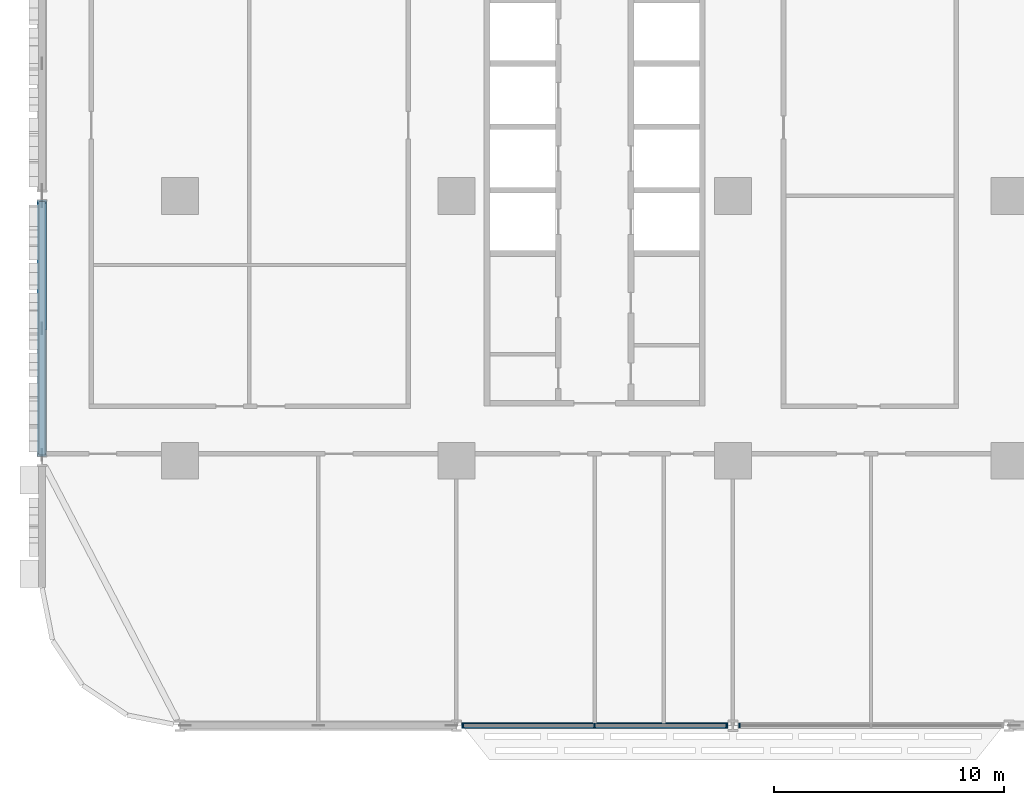
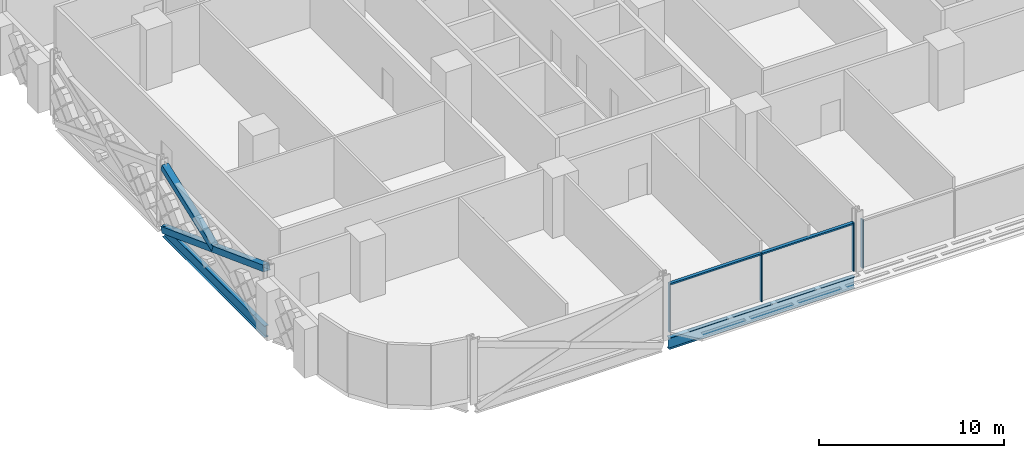
# One storey, part 2 of 29: 8 members, 2 beams, 2 elements without a shape of their own.
"""IFC4 building model written with IfcOpenShell, lengths in metres."""

from ifc_helpers import new_model, si_unit, direction, frame, origin, origin_2d, place, context, subcontext, project, spatial, rectangle, hollow_rectangle, i_section, extrude, material, material_profile, profile_set, type_object, element, aggregate, save


model = new_model("IFC4")

# Units and contexts
model_context = context("Model", 3, precision=1e-05, world=origin(), true_north=direction((0.0, 1.0)))
body_context = subcontext(model_context, "Body", "Model", "MODEL_VIEW")
ifc_project = project(units=[si_unit("LENGTHUNIT", "METRE"), si_unit("AREAUNIT", "SQUARE_METRE"), si_unit("VOLUMEUNIT", "CUBIC_METRE"), si_unit("PLANEANGLEUNIT", "RADIAN"), si_unit("MASSUNIT", "GRAM", prefix="KILO")], contexts=[model_context])

# Site, building, storey
site_placement = place(None, origin())
site = spatial("IfcSite", under=ifc_project, at=site_placement, CompositionType="ELEMENT")
building_placement = place(site_placement, origin())
building = spatial("IfcBuilding", under=site, at=building_placement, Name="Mahtab Terrace Research Tower", CompositionType="ELEMENT")
storey_placement = place(building_placement, frame((0.0, 0.0, 20.10009765625)))
storey = spatial("IfcBuildingStorey", under=building, at=storey_placement, Name="L04", CompositionType="ELEMENT", Elevation=20.10009765625)

# Members
ifc_material_1 = material(Name="Steel ASTM A500 Gr C", Category="steel")
ifc_material_profile_1 = material_profile(ifc_material_1, hollow_rectangle(XDim=0.406494140625, YDim=0.406494140625, WallThickness=0.01904296875, at=origin_2d()), Name="HSS16X16X3/4")
ifc_profile_set_1 = profile_set([ifc_material_profile_1], Name="Steel ASTM A500 Gr C")
member_type_1 = type_object("IfcMemberType", Name="HSS 16x16x3/4 brace XB161634", PredefinedType="BRACE", material=ifc_profile_set_1)
member_1_placement = place(storey_placement, frame((-48.0, -0.248779296875, -0.62548828125), z_axis=(0.0, -0.936668691391, 0.350216736563), x_axis=(1.0, 0.0, 0.0)))
element("IfcMember", 1, at=member_1_placement, inside=storey, type_object=member_type_1, Name="Exoskeleton brace L04 10 a", PredefinedType="BRACE", context=body_context, shape_type="SweptSolid", body=[
    extrude(hollow_rectangle(XDim=0.406494140625, YDim=0.406494140625, WallThickness=0.01904296875, at=origin_2d()), origin(), (0.0, 0.0, 1.0), 11.746337890625),
])
member_2_placement = place(storey_placement, frame((-48.0, -5.75, 1.431396484375), z_axis=(0.0, 0.936668691391, 0.350216736563), x_axis=(-1.0, 0.0, 0.0)))
element("IfcMember", 2, at=member_2_placement, inside=storey, type_object=member_type_1, Name="Exoskeleton brace L04 10 b2", PredefinedType="BRACE", context=body_context, shape_type="SweptSolid", body=[
    extrude(hollow_rectangle(XDim=0.406494140625, YDim=0.406494140625, WallThickness=0.01904296875, at=origin_2d()), origin(), (0.0, 0.0, 1.0), 5.873291015625),
])

# Curtain wall, members
ifc_material_2 = material(Name="Laboratory ribbon curtain wall")
curtain_wall_type = type_object("IfcCurtainWallType", Name="Laboratory ribbon curtain wall", PredefinedType="NOTDEFINED", material=ifc_material_2)
curtain_wall_1_placement = place(storey_placement, origin())
curtain_wall_1 = element("IfcCurtainWall", 3, at=curtain_wall_1_placement, inside=storey, type_object=curtain_wall_type, Name="EN.L04.13.23", PredefinedType="NOTDEFINED")
ifc_material_3 = material(Name="Natural anodised aluminium", Category="aluminium")
ifc_material_profile_2 = material_profile(ifc_material_3, rectangle(XDim=0.199951171875, YDim=0.06494140625, at=origin_2d()), Name="MULLION 65x200")
ifc_profile_set_2 = profile_set([ifc_material_profile_2], Name="Natural anodised aluminium")
member_type_2 = type_object("IfcMemberType", Name="Laboratory ribbon curtain wall mullion", PredefinedType="MULLION", material=ifc_profile_set_2)
member_3_placement = place(storey_placement, frame((-29.718505859375, -23.0, 0.0), z_axis=(0.0, 0.0, 1.0), x_axis=(0.0, 1.0, 0.0)))
member_3 = element("IfcMember", 4, at=member_3_placement, type_object=member_type_2, Name="CWL-1 mullion 1", PredefinedType="MULLION", context=body_context, shape_type="SweptSolid", body=[
    extrude(rectangle(XDim=0.199951171875, YDim=0.06494140625, at=origin_2d()), origin(), (0.0, 0.0, 1.0), 3.202880859375),
])
member_4_placement = place(storey_placement, frame((-24.0, -23.0, 0.0), z_axis=(0.0, 0.0, 1.0), x_axis=(0.0, 1.0, 0.0)))
member_4 = element("IfcMember", 5, at=member_4_placement, type_object=member_type_2, Name="CWL-1 mullion 2", PredefinedType="MULLION", context=body_context, shape_type="SweptSolid", body=[
    extrude(rectangle(XDim=0.199951171875, YDim=0.06494140625, at=origin_2d()), origin(), (0.0, 0.0, 1.0), 3.202880859375),
])
member_5_placement = place(storey_placement, frame((-18.281494140625, -23.0, 0.0), z_axis=(0.0, 0.0, 1.0), x_axis=(0.0, 1.0, 0.0)))
member_5 = element("IfcMember", 6, at=member_5_placement, type_object=member_type_2, Name="CWL-1 mullion 3", PredefinedType="MULLION", context=body_context, shape_type="SweptSolid", body=[
    extrude(rectangle(XDim=0.199951171875, YDim=0.06494140625, at=origin_2d()), origin(), (0.0, 0.0, 1.0), 3.202880859375),
])

# Curtain wall, member
curtain_wall_2_placement = place(storey_placement, origin())
curtain_wall_2 = element("IfcCurtainWall", 7, at=curtain_wall_2_placement, inside=storey, type_object=curtain_wall_type, Name="EN.L04.13.24", PredefinedType="NOTDEFINED")
member_6_placement = place(storey_placement, frame((-17.718505859375, -23.0, 0.0), z_axis=(0.0, 0.0, 1.0), x_axis=(0.0, 1.0, 0.0)))
member_6 = element("IfcMember", 8, at=member_6_placement, type_object=member_type_2, Name="CWL-1 mullion 1", PredefinedType="MULLION", context=body_context, shape_type="SweptSolid", body=[
    extrude(rectangle(XDim=0.199951171875, YDim=0.06494140625, at=origin_2d()), origin(), (0.0, 0.0, 1.0), 3.202880859375),
])
aggregate(curtain_wall_2, [member_6])

# Member
ifc_material_profile_3 = material_profile(ifc_material_3, rectangle(XDim=0.199951171875, YDim=0.10009765625, at=origin_2d()), Name="TRANSOM 100x200")
ifc_profile_set_3 = profile_set([ifc_material_profile_3], Name="Natural anodised aluminium")
member_type_3 = type_object("IfcMemberType", Name="Laboratory ribbon curtain wall transom", PredefinedType="USERDEFINED", material=ifc_profile_set_3)
member_7_placement = place(storey_placement, frame((-29.68603515625, -23.0, 3.153076171875), z_axis=(1.0, 0.0, 0.0), x_axis=(0.0, 1.0, 0.0)))
member_7 = element("IfcMember", 9, at=member_7_placement, type_object=member_type_3, Name="CWL-1 transom 1", ObjectType="TRANSOM", PredefinedType="USERDEFINED", context=body_context, shape_type="SweptSolid", body=[
    extrude(rectangle(XDim=0.199951171875, YDim=0.10009765625, at=origin_2d()), origin(), (0.0, 0.0, 1.0), 5.653564453125),
])

member_8_placement = place(storey_placement, frame((-23.967529296875, -23.0, 3.153076171875), z_axis=(1.0, 0.0, 0.0), x_axis=(0.0, 1.0, 0.0)))
member_8 = element("IfcMember", 10, at=member_8_placement, type_object=member_type_3, Name="CWL-1 transom 2", ObjectType="TRANSOM", PredefinedType="USERDEFINED", context=body_context, shape_type="SweptSolid", body=[
    extrude(rectangle(XDim=0.199951171875, YDim=0.10009765625, at=origin_2d()), origin(), (0.0, 0.0, 1.0), 5.653564453125),
])

aggregate(curtain_wall_1, [member_3, member_4, member_5, member_7, member_8])

# Beams
ifc_material_4 = material(Name="Steel ASTM A992 Gr 50", Category="steel")
ifc_material_profile_4 = material_profile(ifc_material_4, i_section(OverallWidth=0.2666015625, OverallDepth=0.7568359375, WebThickness=0.013916015625, FlangeThickness=0.019287109375, at=origin_2d()), Name="W30X108")
ifc_profile_set_4 = profile_set([ifc_material_profile_4], Name="Steel ASTM A992 Gr 50")
beam_type = type_object("IfcBeamType", Name="W30x108 beam BS30108", PredefinedType="BEAM", material=ifc_profile_set_4)
beam_1_placement = place(storey_placement, frame((-48.0, -0.248779296875, -0.718505859375), z_axis=(0.0, -1.0, 0.0), x_axis=(1.0, 0.0, 0.0)))
element("IfcBeam", 11, at=beam_1_placement, inside=storey, type_object=beam_type, Name="Spandrel beam L04 10", PredefinedType="BEAM", context=body_context, shape_type="SweptSolid", body=[
    extrude(i_section(OverallWidth=0.2666015625, OverallDepth=0.7568359375, WebThickness=0.013916015625, FlangeThickness=0.019287109375, at=origin_2d()), origin(), (0.0, 0.0, 1.0), 11.00244140625),
])
beam_2_placement = place(storey_placement, frame((-29.7841796875, -23.0, -0.718505859375), z_axis=(1.0, 0.0, 0.0), x_axis=(0.0, 1.0, 0.0)))
element("IfcBeam", 12, at=beam_2_placement, inside=storey, type_object=beam_type, Name="Spandrel beam L04 13", PredefinedType="BEAM", context=body_context, shape_type="SweptSolid", body=[
    extrude(i_section(OverallWidth=0.2666015625, OverallDepth=0.7568359375, WebThickness=0.013916015625, FlangeThickness=0.019287109375, at=origin_2d()), origin(), (0.0, 0.0, 1.0), 11.568359375),
])

save(model, "model.ifc")
